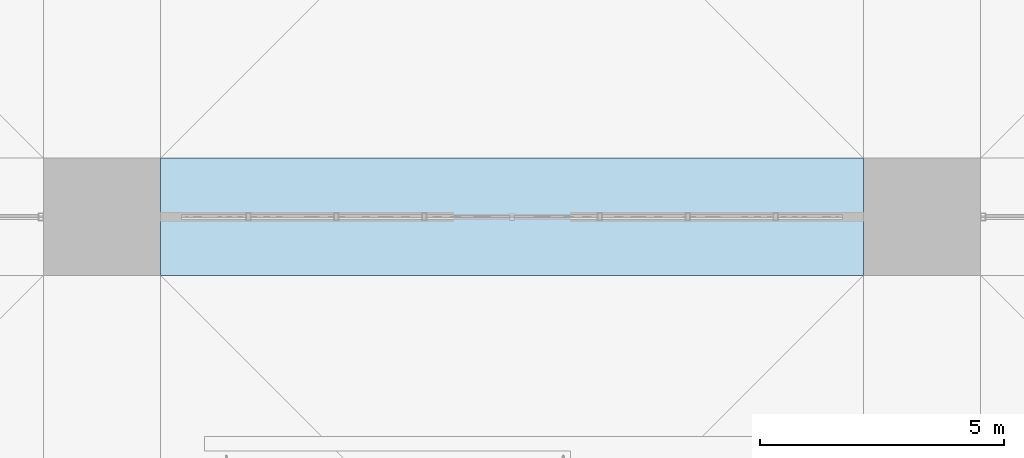
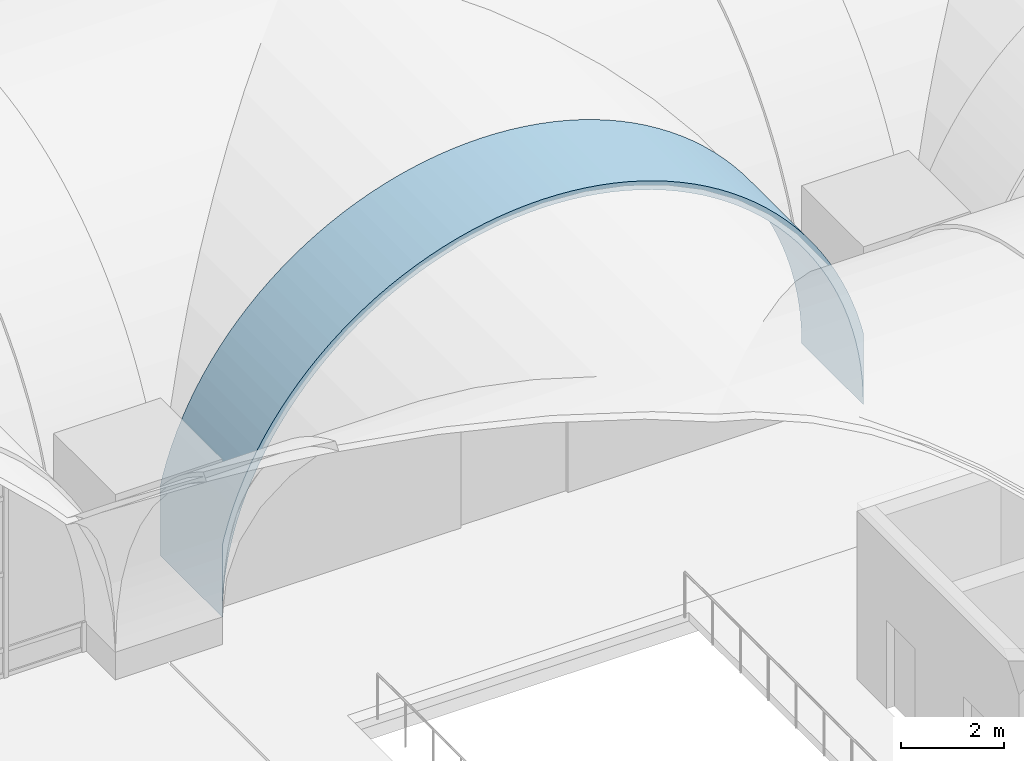
# One storey, part 126 of 169: 1 roof.
"""IFC4 building model written with IfcOpenShell, lengths in metres."""

from ifc_helpers import new_model, si_unit, direction, frame, origin, place, context, subcontext, project, spatial, polygons, material, layer, layer_set, type_object, element, save


model = new_model("IFC4")

# Units and contexts
model_context = context("Model", 3, precision=1e-05, world=origin(), true_north=direction((0.0, 1.0)))
body_context = subcontext(model_context, "Body", "Model", "MODEL_VIEW")
ifc_project = project(units=[si_unit("LENGTHUNIT", "METRE"), si_unit("AREAUNIT", "SQUARE_METRE"), si_unit("VOLUMEUNIT", "CUBIC_METRE"), si_unit("PLANEANGLEUNIT", "RADIAN"), si_unit("MASSUNIT", "GRAM", prefix="KILO")], contexts=[model_context])

# Site, building, storey
site_placement = place(None, origin())
site = spatial("IfcSite", under=ifc_project, at=site_placement, CompositionType="ELEMENT")
building_placement = place(site_placement, origin())
building = spatial("IfcBuilding", under=site, at=building_placement, Name="Verrick Yard Athletic Hall", CompositionType="ELEMENT")
storey_placement = place(building_placement, frame((0.0, 0.0, 4.39990234375)))
storey = spatial("IfcBuildingStorey", under=building, at=storey_placement, Name="L01", CompositionType="ELEMENT", Elevation=4.39990234375)

# Roof
ifc_material = material(Name="Concrete 35 MPa", Category="concrete")
ifc_layer = layer(ifc_material, 0.199951171875)
ifc_layer_set = layer_set([ifc_layer], Name="Arch rib 200")
roof_type = type_object("IfcRoofType", Name="Arch rib 200", PredefinedType="BARREL_ROOF", material=ifc_layer_set)
roof_placement = place(storey_placement, origin())
element("IfcRoof", 1, at=roof_placement, inside=storey, type_object=roof_type, Name="Vault rib M4", PredefinedType="BARREL_ROOF", context=body_context, shape_type="Tessellation", body=[
    polygons([(91.60009765625, 34.800048828125, 2.352294921875), (91.60009765625, 34.800048828125, 0.650146484375), (91.60693359375, 34.800048828125, 0.964111328125), (91.62744140625, 34.800048828125, 1.277587890625), (91.66162109375, 34.800048828125, 1.58984375), (91.70947265625, 34.800048828125, 1.900390625), (91.770751953125, 34.800048828125, 2.20849609375), (91.84521484375, 34.800048828125, 2.513671875), (91.93310546875, 34.800048828125, 2.815185546875), (92.0341796875, 34.800048828125, 3.112548828125), (92.148193359375, 34.800048828125, 3.405517578125), (92.274658203125, 34.800048828125, 3.693115234375), (92.41357421875, 34.800048828125, 3.974609375), (92.564697265625, 34.800048828125, 4.25), (92.7275390625, 34.800048828125, 4.518798828125), (92.902099609375, 34.800048828125, 4.77978515625), (93.087890625, 34.800048828125, 5.033203125), (93.284423828125, 34.800048828125, 5.278076171875), (93.49169921875, 34.800048828125, 5.514404296875), (93.708740234375, 34.800048828125, 5.7412109375), (93.935791015625, 34.800048828125, 5.95849609375), (94.171875, 34.800048828125, 6.16552734375), (94.4169921875, 34.800048828125, 6.3623046875), (94.670166015625, 34.800048828125, 6.548095703125), (94.931396484375, 34.800048828125, 6.722412109375), (95.199951171875, 34.800048828125, 6.885498046875), (95.475341796875, 34.800048828125, 7.03662109375), (95.757080078125, 34.800048828125, 7.175537109375), (96.044677734375, 34.800048828125, 7.302001953125), (96.33740234375, 34.800048828125, 7.416015625), (96.635009765625, 34.800048828125, 7.516845703125), (96.9365234375, 34.800048828125, 7.604736328125), (97.24169921875, 34.800048828125, 7.679443359375), (97.5498046875, 34.800048828125, 7.74072265625), (97.860107421875, 34.800048828125, 7.78857421875), (98.172607421875, 34.800048828125, 7.82275390625), (98.48583984375, 34.800048828125, 7.84326171875), (98.800048828125, 34.800048828125, 7.85009765625), (99.114013671875, 34.800048828125, 7.84326171875), (99.427490234375, 34.800048828125, 7.82275390625), (99.73974609375, 34.800048828125, 7.78857421875), (100.05029296875, 34.800048828125, 7.74072265625), (100.3583984375, 34.800048828125, 7.679443359375), (100.66357421875, 34.800048828125, 7.604736328125), (100.965087890625, 34.800048828125, 7.516845703125), (101.262451171875, 34.800048828125, 7.416015625), (101.555419921875, 34.800048828125, 7.302001953125), (101.843017578125, 34.800048828125, 7.175537109375), (102.12451171875, 34.800048828125, 7.03662109375), (102.39990234375, 34.800048828125, 6.885498046875), (102.668701171875, 34.800048828125, 6.722412109375), (102.9296875, 34.800048828125, 6.548095703125), (103.18310546875, 34.800048828125, 6.3623046875), (103.427978515625, 34.800048828125, 6.16552734375), (103.664306640625, 34.800048828125, 5.95849609375), (103.89111328125, 34.800048828125, 5.7412109375), (104.1083984375, 34.800048828125, 5.514404296875), (104.3154296875, 34.800048828125, 5.278076171875), (104.51220703125, 34.800048828125, 5.033203125), (104.697998046875, 34.800048828125, 4.77978515625), (104.872314453125, 34.800048828125, 4.518798828125), (105.035400390625, 34.800048828125, 4.25), (105.1865234375, 34.800048828125, 3.974609375), (105.325439453125, 34.800048828125, 3.693115234375), (105.451904296875, 34.800048828125, 3.405517578125), (105.56591796875, 34.800048828125, 3.112548828125), (105.666748046875, 34.800048828125, 2.815185546875), (105.754638671875, 34.800048828125, 2.513671875), (105.829345703125, 34.800048828125, 2.20849609375), (105.890625, 34.800048828125, 1.900390625), (105.9384765625, 34.800048828125, 1.58984375), (105.97265625, 34.800048828125, 1.277587890625), (105.9931640625, 34.800048828125, 0.964111328125), (106.0, 34.800048828125, 0.650146484375), (106.0, 34.800048828125, 2.352294921875), (105.947998046875, 34.800048828125, 2.5654296875), (105.857421875, 34.800048828125, 2.875244140625), (105.753662109375, 34.800048828125, 3.180908203125), (105.63671875, 34.800048828125, 3.48193359375), (105.506591796875, 34.800048828125, 3.777587890625), (105.364013671875, 34.800048828125, 4.06689453125), (105.20849609375, 34.800048828125, 4.35009765625), (105.041015625, 34.800048828125, 4.6259765625), (104.86181640625, 34.800048828125, 4.89453125), (104.6708984375, 34.800048828125, 5.15478515625), (104.46875, 34.800048828125, 5.40673828125), (104.255859375, 34.800048828125, 5.6494140625), (104.03271484375, 34.800048828125, 5.8828125), (103.79931640625, 34.800048828125, 6.10595703125), (103.556640625, 34.800048828125, 6.31884765625), (103.3046875, 34.800048828125, 6.52099609375), (103.04443359375, 34.800048828125, 6.7119140625), (102.77587890625, 34.800048828125, 6.89111328125), (102.5, 34.800048828125, 7.05859375), (102.216796875, 34.800048828125, 7.214111328125), (101.927490234375, 34.800048828125, 7.356689453125), (101.6318359375, 34.800048828125, 7.48681640625), (101.330810546875, 34.800048828125, 7.603759765625), (101.025146484375, 34.800048828125, 7.70751953125), (100.71533203125, 34.800048828125, 7.798095703125), (100.401611328125, 34.800048828125, 7.874755859375), (100.0849609375, 34.800048828125, 7.937744140625), (99.765869140625, 34.800048828125, 7.98681640625), (99.445068359375, 34.800048828125, 8.02197265625), (99.122802734375, 34.800048828125, 8.043212890625), (98.800048828125, 34.800048828125, 8.050048828125), (98.477294921875, 34.800048828125, 8.043212890625), (98.155029296875, 34.800048828125, 8.02197265625), (97.833984375, 34.800048828125, 7.98681640625), (97.514892578125, 34.800048828125, 7.937744140625), (97.1982421875, 34.800048828125, 7.874755859375), (96.884765625, 34.800048828125, 7.798095703125), (96.57470703125, 34.800048828125, 7.70751953125), (96.26904296875, 34.800048828125, 7.603759765625), (95.968017578125, 34.800048828125, 7.48681640625), (95.672607421875, 34.800048828125, 7.356689453125), (95.383056640625, 34.800048828125, 7.214111328125), (95.10009765625, 34.800048828125, 7.05859375), (94.823974609375, 34.800048828125, 6.89111328125), (94.555419921875, 34.800048828125, 6.7119140625), (94.295166015625, 34.800048828125, 6.52099609375), (94.04345703125, 34.800048828125, 6.31884765625), (93.800537109375, 34.800048828125, 6.10595703125), (93.5673828125, 34.800048828125, 5.8828125), (93.343994140625, 34.800048828125, 5.6494140625), (93.13134765625, 34.800048828125, 5.40673828125), (92.92919921875, 34.800048828125, 5.15478515625), (92.73828125, 34.800048828125, 4.89453125), (92.558837890625, 34.800048828125, 4.6259765625), (92.391357421875, 34.800048828125, 4.35009765625), (92.236083984375, 34.800048828125, 4.06689453125), (92.09326171875, 34.800048828125, 3.777587890625), (91.96337890625, 34.800048828125, 3.48193359375), (91.84619140625, 34.800048828125, 3.180908203125), (91.742431640625, 34.800048828125, 2.875244140625), (91.652099609375, 34.800048828125, 2.5654296875), (91.60009765625, 37.199951171875, 2.352294921875), (91.60009765625, 37.199951171875, 0.650146484375), (91.60693359375, 37.199951171875, 0.964111328125), (91.62744140625, 37.199951171875, 1.277587890625), (91.66162109375, 37.199951171875, 1.58984375), (91.70947265625, 37.199951171875, 1.900390625), (91.770751953125, 37.199951171875, 2.20849609375), (91.84521484375, 37.199951171875, 2.513671875), (91.93310546875, 37.199951171875, 2.815185546875), (92.0341796875, 37.199951171875, 3.112548828125), (92.148193359375, 37.199951171875, 3.405517578125), (92.274658203125, 37.199951171875, 3.693115234375), (92.41357421875, 37.199951171875, 3.974609375), (92.564697265625, 37.199951171875, 4.25), (92.7275390625, 37.199951171875, 4.518798828125), (92.902099609375, 37.199951171875, 4.77978515625), (93.087890625, 37.199951171875, 5.033203125), (93.284423828125, 37.199951171875, 5.278076171875), (93.49169921875, 37.199951171875, 5.514404296875), (93.708740234375, 37.199951171875, 5.7412109375), (93.935791015625, 37.199951171875, 5.95849609375), (94.171875, 37.199951171875, 6.16552734375), (94.4169921875, 37.199951171875, 6.3623046875), (94.670166015625, 37.199951171875, 6.548095703125), (94.931396484375, 37.199951171875, 6.722412109375), (95.199951171875, 37.199951171875, 6.885498046875), (95.475341796875, 37.199951171875, 7.03662109375), (95.757080078125, 37.199951171875, 7.175537109375), (96.044677734375, 37.199951171875, 7.302001953125), (96.33740234375, 37.199951171875, 7.416015625), (96.635009765625, 37.199951171875, 7.516845703125), (96.9365234375, 37.199951171875, 7.604736328125), (97.24169921875, 37.199951171875, 7.679443359375), (97.5498046875, 37.199951171875, 7.74072265625), (97.860107421875, 37.199951171875, 7.78857421875), (98.172607421875, 37.199951171875, 7.82275390625), (98.48583984375, 37.199951171875, 7.84326171875), (98.800048828125, 37.199951171875, 7.85009765625), (99.114013671875, 37.199951171875, 7.84326171875), (99.427490234375, 37.199951171875, 7.82275390625), (99.73974609375, 37.199951171875, 7.78857421875), (100.05029296875, 37.199951171875, 7.74072265625), (100.3583984375, 37.199951171875, 7.679443359375), (100.66357421875, 37.199951171875, 7.604736328125), (100.965087890625, 37.199951171875, 7.516845703125), (101.262451171875, 37.199951171875, 7.416015625), (101.555419921875, 37.199951171875, 7.302001953125), (101.843017578125, 37.199951171875, 7.175537109375), (102.12451171875, 37.199951171875, 7.03662109375), (102.39990234375, 37.199951171875, 6.885498046875), (102.668701171875, 37.199951171875, 6.722412109375), (102.9296875, 37.199951171875, 6.548095703125), (103.18310546875, 37.199951171875, 6.3623046875), (103.427978515625, 37.199951171875, 6.16552734375), (103.664306640625, 37.199951171875, 5.95849609375), (103.89111328125, 37.199951171875, 5.7412109375), (104.1083984375, 37.199951171875, 5.514404296875), (104.3154296875, 37.199951171875, 5.278076171875), (104.51220703125, 37.199951171875, 5.033203125), (104.697998046875, 37.199951171875, 4.77978515625), (104.872314453125, 37.199951171875, 4.518798828125), (105.035400390625, 37.199951171875, 4.25), (105.1865234375, 37.199951171875, 3.974609375), (105.325439453125, 37.199951171875, 3.693115234375), (105.451904296875, 37.199951171875, 3.405517578125), (105.56591796875, 37.199951171875, 3.112548828125), (105.666748046875, 37.199951171875, 2.815185546875), (105.754638671875, 37.199951171875, 2.513671875), (105.829345703125, 37.199951171875, 2.20849609375), (105.890625, 37.199951171875, 1.900390625), (105.9384765625, 37.199951171875, 1.58984375), (105.97265625, 37.199951171875, 1.277587890625), (105.9931640625, 37.199951171875, 0.964111328125), (106.0, 37.199951171875, 0.650146484375), (106.0, 37.199951171875, 2.352294921875), (105.947998046875, 37.199951171875, 2.5654296875), (105.857421875, 37.199951171875, 2.875244140625), (105.753662109375, 37.199951171875, 3.180908203125), (105.63671875, 37.199951171875, 3.48193359375), (105.506591796875, 37.199951171875, 3.777587890625), (105.364013671875, 37.199951171875, 4.06689453125), (105.20849609375, 37.199951171875, 4.35009765625), (105.041015625, 37.199951171875, 4.6259765625), (104.86181640625, 37.199951171875, 4.89453125), (104.6708984375, 37.199951171875, 5.15478515625), (104.46875, 37.199951171875, 5.40673828125), (104.255859375, 37.199951171875, 5.6494140625), (104.03271484375, 37.199951171875, 5.8828125), (103.79931640625, 37.199951171875, 6.10595703125), (103.556640625, 37.199951171875, 6.31884765625), (103.3046875, 37.199951171875, 6.52099609375), (103.04443359375, 37.199951171875, 6.7119140625), (102.77587890625, 37.199951171875, 6.89111328125), (102.5, 37.199951171875, 7.05859375), (102.216796875, 37.199951171875, 7.214111328125), (101.927490234375, 37.199951171875, 7.356689453125), (101.6318359375, 37.199951171875, 7.48681640625), (101.330810546875, 37.199951171875, 7.603759765625), (101.025146484375, 37.199951171875, 7.70751953125), (100.71533203125, 37.199951171875, 7.798095703125), (100.401611328125, 37.199951171875, 7.874755859375), (100.0849609375, 37.199951171875, 7.937744140625), (99.765869140625, 37.199951171875, 7.98681640625), (99.445068359375, 37.199951171875, 8.02197265625), (99.122802734375, 37.199951171875, 8.043212890625), (98.800048828125, 37.199951171875, 8.050048828125), (98.477294921875, 37.199951171875, 8.043212890625), (98.155029296875, 37.199951171875, 8.02197265625), (97.833984375, 37.199951171875, 7.98681640625), (97.514892578125, 37.199951171875, 7.937744140625), (97.1982421875, 37.199951171875, 7.874755859375), (96.884765625, 37.199951171875, 7.798095703125), (96.57470703125, 37.199951171875, 7.70751953125), (96.26904296875, 37.199951171875, 7.603759765625), (95.968017578125, 37.199951171875, 7.48681640625), (95.672607421875, 37.199951171875, 7.356689453125), (95.383056640625, 37.199951171875, 7.214111328125), (95.10009765625, 37.199951171875, 7.05859375), (94.823974609375, 37.199951171875, 6.89111328125), (94.555419921875, 37.199951171875, 6.7119140625), (94.295166015625, 37.199951171875, 6.52099609375), (94.04345703125, 37.199951171875, 6.31884765625), (93.800537109375, 37.199951171875, 6.10595703125), (93.5673828125, 37.199951171875, 5.8828125), (93.343994140625, 37.199951171875, 5.6494140625), (93.13134765625, 37.199951171875, 5.40673828125), (92.92919921875, 37.199951171875, 5.15478515625), (92.73828125, 37.199951171875, 4.89453125), (92.558837890625, 37.199951171875, 4.6259765625), (92.391357421875, 37.199951171875, 4.35009765625), (92.236083984375, 37.199951171875, 4.06689453125), (92.09326171875, 37.199951171875, 3.777587890625), (91.96337890625, 37.199951171875, 3.48193359375), (91.84619140625, 37.199951171875, 3.180908203125), (91.742431640625, 37.199951171875, 2.875244140625), (91.652099609375, 37.199951171875, 2.5654296875)], [[[1, 2, 3]], [[137, 139, 138]], [[136, 1, 3]], [[272, 139, 137]], [[136, 3, 4]], [[272, 140, 139]], [[136, 4, 5]], [[272, 141, 140]], [[136, 5, 6]], [[272, 142, 141]], [[136, 6, 7]], [[272, 143, 142]], [[136, 7, 8]], [[272, 144, 143]], [[136, 8, 9]], [[272, 145, 144]], [[136, 9, 10]], [[272, 146, 145]], [[136, 10, 11]], [[272, 147, 146]], [[136, 11, 12]], [[272, 148, 147]], [[136, 12, 13]], [[272, 149, 148]], [[73, 74, 75]], [[209, 211, 210]], [[72, 73, 75]], [[208, 211, 209]], [[71, 72, 75]], [[207, 211, 208]], [[70, 71, 75]], [[206, 211, 207]], [[69, 70, 75]], [[205, 211, 206]], [[68, 69, 75]], [[204, 211, 205]], [[67, 68, 75]], [[203, 211, 204]], [[66, 67, 75]], [[202, 211, 203]], [[65, 66, 75]], [[201, 211, 202]], [[64, 65, 75]], [[200, 211, 201]], [[63, 64, 75]], [[199, 211, 200]], [[63, 75, 76]], [[199, 212, 211]], [[63, 76, 77]], [[199, 213, 212]], [[62, 63, 77]], [[198, 213, 199]], [[62, 77, 78]], [[198, 214, 213]], [[61, 62, 78]], [[197, 214, 198]], [[61, 78, 79]], [[197, 215, 214]], [[60, 61, 79]], [[196, 215, 197]], [[60, 79, 80]], [[196, 216, 215]], [[59, 60, 80]], [[195, 216, 196]], [[59, 80, 81]], [[195, 217, 216]], [[58, 59, 81]], [[194, 217, 195]], [[58, 81, 82]], [[194, 218, 217]], [[57, 58, 82]], [[193, 218, 194]], [[57, 82, 83]], [[193, 219, 218]], [[56, 57, 83]], [[192, 219, 193]], [[56, 83, 84]], [[192, 220, 219]], [[55, 56, 84]], [[191, 220, 192]], [[55, 84, 85]], [[191, 221, 220]], [[54, 55, 85]], [[190, 221, 191]], [[54, 85, 86]], [[190, 222, 221]], [[53, 54, 86]], [[189, 222, 190]], [[53, 86, 87]], [[189, 223, 222]], [[52, 53, 87]], [[188, 223, 189]], [[52, 87, 88]], [[188, 224, 223]], [[51, 52, 88]], [[187, 224, 188]], [[51, 88, 89]], [[187, 225, 224]], [[50, 51, 89]], [[186, 225, 187]], [[50, 89, 90]], [[186, 226, 225]], [[49, 50, 90]], [[185, 226, 186]], [[49, 90, 91]], [[185, 227, 226]], [[48, 49, 91]], [[184, 227, 185]], [[48, 91, 92]], [[184, 228, 227]], [[47, 48, 92]], [[183, 228, 184]], [[47, 92, 93]], [[183, 229, 228]], [[46, 47, 93]], [[182, 229, 183]], [[46, 93, 94]], [[182, 230, 229]], [[45, 46, 94]], [[181, 230, 182]], [[45, 94, 95]], [[181, 231, 230]], [[44, 45, 95]], [[180, 231, 181]], [[44, 95, 96]], [[180, 232, 231]], [[43, 44, 96]], [[179, 232, 180]], [[43, 96, 97]], [[179, 233, 232]], [[42, 43, 97]], [[178, 233, 179]], [[42, 97, 98]], [[178, 234, 233]], [[41, 42, 98]], [[177, 234, 178]], [[41, 98, 99]], [[177, 235, 234]], [[40, 41, 99]], [[176, 235, 177]], [[40, 99, 100]], [[176, 236, 235]], [[39, 40, 100]], [[175, 236, 176]], [[39, 100, 101]], [[175, 237, 236]], [[38, 39, 101]], [[174, 237, 175]], [[38, 101, 102]], [[174, 238, 237]], [[37, 38, 102]], [[173, 238, 174]], [[37, 102, 103]], [[173, 239, 238]], [[36, 37, 103]], [[172, 239, 173]], [[36, 103, 104]], [[172, 240, 239]], [[35, 36, 104]], [[171, 240, 172]], [[35, 104, 105]], [[171, 241, 240]], [[34, 35, 105]], [[170, 241, 171]], [[34, 105, 106]], [[170, 242, 241]], [[33, 34, 106]], [[169, 242, 170]], [[33, 106, 107]], [[169, 243, 242]], [[32, 33, 107]], [[168, 243, 169]], [[32, 107, 108]], [[168, 244, 243]], [[31, 32, 108]], [[167, 244, 168]], [[31, 108, 109]], [[167, 245, 244]], [[30, 31, 109]], [[166, 245, 167]], [[30, 109, 110]], [[166, 246, 245]], [[29, 30, 110]], [[165, 246, 166]], [[29, 110, 111]], [[165, 247, 246]], [[28, 29, 111]], [[164, 247, 165]], [[28, 111, 112]], [[164, 248, 247]], [[27, 28, 112]], [[163, 248, 164]], [[27, 112, 113]], [[163, 249, 248]], [[26, 27, 113]], [[162, 249, 163]], [[26, 113, 114]], [[162, 250, 249]], [[25, 26, 114]], [[161, 250, 162]], [[25, 114, 115]], [[161, 251, 250]], [[24, 25, 115]], [[160, 251, 161]], [[24, 115, 116]], [[160, 252, 251]], [[23, 24, 116]], [[159, 252, 160]], [[23, 116, 117]], [[159, 253, 252]], [[22, 23, 117]], [[158, 253, 159]], [[22, 117, 118]], [[158, 254, 253]], [[21, 22, 118]], [[157, 254, 158]], [[21, 118, 119]], [[157, 255, 254]], [[20, 21, 119]], [[156, 255, 157]], [[20, 119, 120]], [[156, 256, 255]], [[19, 20, 120]], [[155, 256, 156]], [[19, 120, 121]], [[155, 257, 256]], [[18, 19, 121]], [[154, 257, 155]], [[18, 121, 122]], [[154, 258, 257]], [[17, 18, 122]], [[153, 258, 154]], [[17, 122, 123]], [[153, 259, 258]], [[16, 17, 123]], [[152, 259, 153]], [[16, 123, 124]], [[152, 260, 259]], [[15, 16, 124]], [[151, 260, 152]], [[15, 124, 125]], [[151, 261, 260]], [[14, 15, 125]], [[150, 261, 151]], [[14, 125, 126]], [[150, 262, 261]], [[13, 14, 126]], [[149, 262, 150]], [[136, 13, 126]], [[272, 262, 149]], [[136, 126, 127]], [[272, 263, 262]], [[136, 127, 128]], [[272, 264, 263]], [[136, 128, 129]], [[272, 265, 264]], [[136, 129, 130]], [[272, 266, 265]], [[136, 130, 131]], [[272, 267, 266]], [[136, 131, 132]], [[272, 268, 267]], [[136, 132, 133]], [[272, 269, 268]], [[136, 133, 134]], [[272, 270, 269]], [[134, 135, 136]], [[270, 272, 271]], [[1, 138, 2]], [[1, 137, 138]], [[2, 139, 3]], [[2, 138, 139]], [[3, 140, 4]], [[3, 139, 140]], [[4, 141, 5]], [[4, 140, 141]], [[5, 142, 6]], [[5, 141, 142]], [[6, 143, 7]], [[6, 142, 143]], [[7, 144, 8]], [[7, 143, 144]], [[8, 145, 9]], [[8, 144, 145]], [[9, 146, 10]], [[9, 145, 146]], [[10, 147, 11]], [[10, 146, 147]], [[11, 148, 12]], [[11, 147, 148]], [[12, 149, 13]], [[12, 148, 149]], [[13, 150, 14]], [[13, 149, 150]], [[14, 151, 15]], [[14, 150, 151]], [[15, 152, 16]], [[15, 151, 152]], [[16, 153, 17]], [[16, 152, 153]], [[17, 154, 18]], [[17, 153, 154]], [[18, 155, 19]], [[18, 154, 155]], [[19, 156, 20]], [[19, 155, 156]], [[20, 157, 21]], [[20, 156, 157]], [[21, 158, 22]], [[21, 157, 158]], [[22, 159, 23]], [[22, 158, 159]], [[23, 160, 24]], [[23, 159, 160]], [[24, 161, 25]], [[24, 160, 161]], [[25, 162, 26]], [[25, 161, 162]], [[26, 163, 27]], [[26, 162, 163]], [[27, 164, 28]], [[27, 163, 164]], [[28, 165, 29]], [[28, 164, 165]], [[29, 166, 30]], [[29, 165, 166]], [[30, 167, 31]], [[30, 166, 167]], [[31, 168, 32]], [[31, 167, 168]], [[32, 169, 33]], [[32, 168, 169]], [[33, 170, 34]], [[33, 169, 170]], [[34, 171, 35]], [[34, 170, 171]], [[35, 172, 36]], [[35, 171, 172]], [[36, 173, 37]], [[36, 172, 173]], [[37, 174, 38]], [[37, 173, 174]], [[38, 175, 39]], [[38, 174, 175]], [[39, 176, 40]], [[39, 175, 176]], [[40, 177, 41]], [[40, 176, 177]], [[41, 178, 42]], [[41, 177, 178]], [[42, 179, 43]], [[42, 178, 179]], [[43, 180, 44]], [[43, 179, 180]], [[44, 181, 45]], [[44, 180, 181]], [[45, 182, 46]], [[45, 181, 182]], [[46, 183, 47]], [[46, 182, 183]], [[47, 184, 48]], [[47, 183, 184]], [[48, 185, 49]], [[48, 184, 185]], [[49, 186, 50]], [[49, 185, 186]], [[50, 187, 51]], [[50, 186, 187]], [[51, 188, 52]], [[51, 187, 188]], [[52, 189, 53]], [[52, 188, 189]], [[53, 190, 54]], [[53, 189, 190]], [[54, 191, 55]], [[54, 190, 191]], [[55, 192, 56]], [[55, 191, 192]], [[56, 193, 57]], [[56, 192, 193]], [[57, 194, 58]], [[57, 193, 194]], [[58, 195, 59]], [[58, 194, 195]], [[59, 196, 60]], [[59, 195, 196]], [[60, 197, 61]], [[60, 196, 197]], [[61, 198, 62]], [[61, 197, 198]], [[62, 199, 63]], [[62, 198, 199]], [[63, 200, 64]], [[63, 199, 200]], [[64, 201, 65]], [[64, 200, 201]], [[65, 202, 66]], [[65, 201, 202]], [[66, 203, 67]], [[66, 202, 203]], [[67, 204, 68]], [[67, 203, 204]], [[68, 205, 69]], [[68, 204, 205]], [[69, 206, 70]], [[69, 205, 206]], [[70, 207, 71]], [[70, 206, 207]], [[71, 208, 72]], [[71, 207, 208]], [[72, 209, 73]], [[72, 208, 209]], [[73, 210, 74]], [[73, 209, 210]], [[74, 211, 75]], [[74, 210, 211]], [[75, 212, 76]], [[75, 211, 212]], [[76, 213, 77]], [[76, 212, 213]], [[77, 214, 78]], [[77, 213, 214]], [[78, 215, 79]], [[78, 214, 215]], [[79, 216, 80]], [[79, 215, 216]], [[80, 217, 81]], [[80, 216, 217]], [[81, 218, 82]], [[81, 217, 218]], [[82, 219, 83]], [[82, 218, 219]], [[83, 220, 84]], [[83, 219, 220]], [[84, 221, 85]], [[84, 220, 221]], [[85, 222, 86]], [[85, 221, 222]], [[86, 223, 87]], [[86, 222, 223]], [[87, 224, 88]], [[87, 223, 224]], [[88, 225, 89]], [[88, 224, 225]], [[89, 226, 90]], [[89, 225, 226]], [[90, 227, 91]], [[90, 226, 227]], [[91, 228, 92]], [[91, 227, 228]], [[92, 229, 93]], [[92, 228, 229]], [[93, 230, 94]], [[93, 229, 230]], [[94, 231, 95]], [[94, 230, 231]], [[95, 232, 96]], [[95, 231, 232]], [[96, 233, 97]], [[96, 232, 233]], [[97, 234, 98]], [[97, 233, 234]], [[98, 235, 99]], [[98, 234, 235]], [[99, 236, 100]], [[99, 235, 236]], [[100, 237, 101]], [[100, 236, 237]], [[101, 238, 102]], [[101, 237, 238]], [[102, 239, 103]], [[102, 238, 239]], [[103, 240, 104]], [[103, 239, 240]], [[104, 241, 105]], [[104, 240, 241]], [[105, 242, 106]], [[105, 241, 242]], [[106, 243, 107]], [[106, 242, 243]], [[107, 244, 108]], [[107, 243, 244]], [[108, 245, 109]], [[108, 244, 245]], [[109, 246, 110]], [[109, 245, 246]], [[110, 247, 111]], [[110, 246, 247]], [[111, 248, 112]], [[111, 247, 248]], [[112, 249, 113]], [[112, 248, 249]], [[113, 250, 114]], [[113, 249, 250]], [[114, 251, 115]], [[114, 250, 251]], [[115, 252, 116]], [[115, 251, 252]], [[116, 253, 117]], [[116, 252, 253]], [[117, 254, 118]], [[117, 253, 254]], [[118, 255, 119]], [[118, 254, 255]], [[119, 256, 120]], [[119, 255, 256]], [[120, 257, 121]], [[120, 256, 257]], [[121, 258, 122]], [[121, 257, 258]], [[122, 259, 123]], [[122, 258, 259]], [[123, 260, 124]], [[123, 259, 260]], [[124, 261, 125]], [[124, 260, 261]], [[125, 262, 126]], [[125, 261, 262]], [[126, 263, 127]], [[126, 262, 263]], [[127, 264, 128]], [[127, 263, 264]], [[128, 265, 129]], [[128, 264, 265]], [[129, 266, 130]], [[129, 265, 266]], [[130, 267, 131]], [[130, 266, 267]], [[131, 268, 132]], [[131, 267, 268]], [[132, 269, 133]], [[132, 268, 269]], [[133, 270, 134]], [[133, 269, 270]], [[134, 271, 135]], [[134, 270, 271]], [[135, 272, 136]], [[135, 271, 272]], [[136, 137, 1]], [[136, 272, 137]]], closed=True),
])

save(model, "model.ifc")
